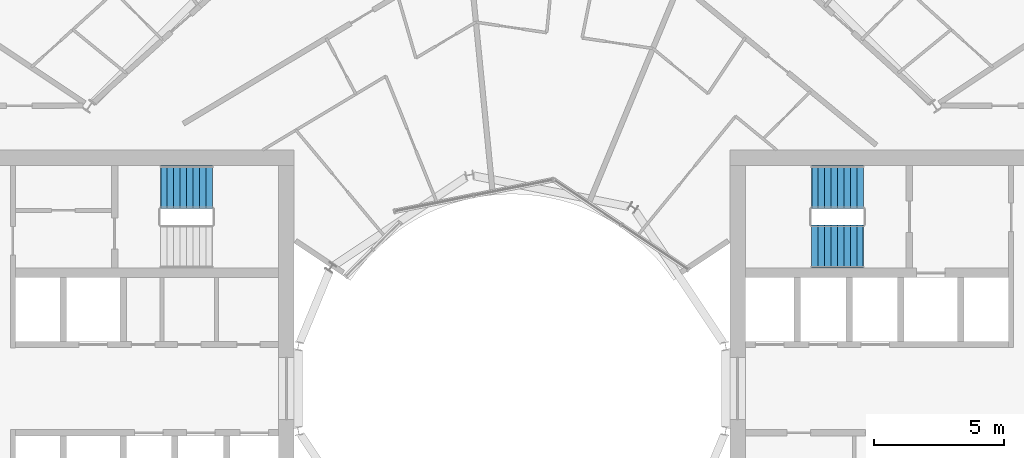
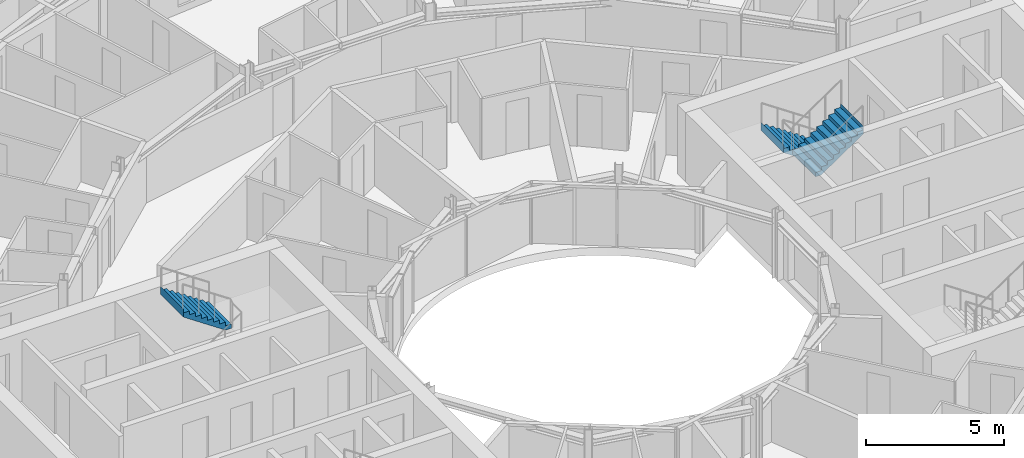
# One storey, part 26 of 28: 3 stair flights, 2 elements without a shape of their own.
"""IFC4 building model written with IfcOpenShell, lengths in metres."""

from ifc_helpers import new_model, si_unit, direction, frame, origin, place, context, subcontext, project, spatial, triangles, material, type_object, element, aggregate, save


model = new_model("IFC4")

# Units and contexts
model_context = context("Model", 3, precision=1e-05, world=origin(), true_north=direction((0.0, 1.0)))
body_context = subcontext(model_context, "Body", "Model", "MODEL_VIEW")
ifc_project = project(units=[si_unit("LENGTHUNIT", "METRE"), si_unit("AREAUNIT", "SQUARE_METRE"), si_unit("VOLUMEUNIT", "CUBIC_METRE"), si_unit("PLANEANGLEUNIT", "RADIAN"), si_unit("MASSUNIT", "GRAM", prefix="KILO")], contexts=[model_context])

# Site, building, storey
site_placement = place(None, origin())
site = spatial("IfcSite", under=ifc_project, at=site_placement, CompositionType="ELEMENT")
building_placement = place(site_placement, origin())
building = spatial("IfcBuilding", under=site, at=building_placement, Name="Maasbend Ring Residences", CompositionType="ELEMENT")
storey_placement = place(building_placement, frame((0.0, 0.0, 129.949951171875)))
storey = spatial("IfcBuildingStorey", under=building, at=storey_placement, Name="L37", CompositionType="ELEMENT", Elevation=129.949951171875)

# Stair, stair flights
ifc_material_1 = material(Name="Concrete C40/50", Category="concrete")
stair_type = type_object("IfcStairType", Name="CORE STAIR 18 RISERS", PredefinedType="HALF_TURN_STAIR", material=ifc_material_1)
stair_1_placement = place(storey_placement, origin())
stair_1 = element("IfcStair", 1, at=stair_1_placement, inside=storey, type_object=stair_type, Name="L37 Exit stair ST-E1", PredefinedType="HALF_TURN_STAIR")
ifc_material_2 = material(Name="Concrete C40/50", Category="concrete")
stair_flight_type = type_object("IfcStairFlightType", Name="CORE STAIR FLIGHT 1650", PredefinedType="STRAIGHT", material=ifc_material_2)
stair_flight_1_placement = place(storey_placement, frame((13.550048828125, 7.77490234375, 0.0), z_axis=(0.0, 0.0, 1.0), x_axis=(-1.0, 0.0, 0.0)))
stair_flight_1 = element("IfcStairFlight", 2, at=stair_flight_1_placement, type_object=stair_flight_type, Name="ST-E1 flight 1", NumberOfRisers=9, NumberOfTreads=8, PredefinedType="STRAIGHT", RiserHeight=0.169444444, TreadLength=0.25, context=body_context, shape_type="Tessellation", body=[
    triangles([(0.24072265625, 0.824951171875, -0.02001953125), (2.0029296875, 0.824951171875, 1.174560546875), (2.0029296875, 0.824951171875, 1.52490234375), (1.989990234375, 0.824951171875, 1.35546875), (1.75, 0.824951171875, 1.35546875), (1.75, 0.824951171875, 1.18603515625), (1.5, 0.824951171875, 1.18603515625), (1.5, 0.824951171875, 1.0166015625), (1.25, 0.824951171875, 1.0166015625), (1.25, 0.824951171875, 0.84716796875), (1.0, 0.824951171875, 0.84716796875), (1.0, 0.824951171875, 0.677734375), (0.75, 0.824951171875, 0.677734375), (0.75, 0.824951171875, 0.50830078125), (0.5, 0.824951171875, 0.50830078125), (0.5, 0.824951171875, 0.3388671875), (0.25, 0.824951171875, 0.3388671875), (0.25, 0.824951171875, 0.16943359375), (0.0, 0.824951171875, 0.16943359375), (0.0, 0.824951171875, 0.0), (-0.0029296875, 0.824951171875, 0.0), (-0.0029296875, 0.824951171875, -0.02001953125), (0.24072265625, 0.27490234375, -0.02001953125), (2.0029296875, 0.27490234375, 1.174560546875), (2.0029296875, 0.27490234375, 1.52490234375), (1.989990234375, 0.27490234375, 1.35546875), (1.75, 0.27490234375, 1.35546875), (1.75, 0.27490234375, 1.18603515625), (1.5, 0.27490234375, 1.18603515625), (1.5, 0.27490234375, 1.0166015625), (1.25, 0.27490234375, 1.0166015625), (1.25, 0.27490234375, 0.84716796875), (1.0, 0.27490234375, 0.84716796875), (1.0, 0.27490234375, 0.677734375), (0.75, 0.27490234375, 0.677734375), (0.75, 0.27490234375, 0.50830078125), (0.5, 0.27490234375, 0.50830078125), (0.5, 0.27490234375, 0.3388671875), (0.25, 0.27490234375, 0.3388671875), (0.25, 0.27490234375, 0.16943359375), (0.0, 0.27490234375, 0.16943359375), (0.0, 0.27490234375, 0.0), (-0.0029296875, 0.27490234375, 0.0), (-0.0029296875, 0.27490234375, -0.02001953125), (0.24072265625, -0.27490234375, -0.02001953125), (2.0029296875, -0.27490234375, 1.174560546875), (2.0029296875, -0.27490234375, 1.52490234375), (1.989990234375, -0.27490234375, 1.35546875), (1.75, -0.27490234375, 1.35546875), (1.75, -0.27490234375, 1.18603515625), (1.5, -0.27490234375, 1.18603515625), (1.5, -0.27490234375, 1.0166015625), (1.25, -0.27490234375, 1.0166015625), (1.25, -0.27490234375, 0.84716796875), (1.0, -0.27490234375, 0.84716796875), (1.0, -0.27490234375, 0.677734375), (0.75, -0.27490234375, 0.677734375), (0.75, -0.27490234375, 0.50830078125), (0.5, -0.27490234375, 0.50830078125), (0.5, -0.27490234375, 0.3388671875), (0.25, -0.27490234375, 0.3388671875), (0.25, -0.27490234375, 0.16943359375), (0.0, -0.27490234375, 0.16943359375), (0.0, -0.27490234375, 0.0), (-0.0029296875, -0.27490234375, 0.0), (-0.0029296875, -0.27490234375, -0.02001953125), (0.24072265625, -0.824951171875, -0.02001953125), (2.0029296875, -0.824951171875, 1.174560546875), (2.0029296875, -0.824951171875, 1.52490234375), (1.989990234375, -0.824951171875, 1.35546875), (1.75, -0.824951171875, 1.35546875), (1.75, -0.824951171875, 1.18603515625), (1.5, -0.824951171875, 1.18603515625), (1.5, -0.824951171875, 1.0166015625), (1.25, -0.824951171875, 1.0166015625), (1.25, -0.824951171875, 0.84716796875), (1.0, -0.824951171875, 0.84716796875), (1.0, -0.824951171875, 0.677734375), (0.75, -0.824951171875, 0.677734375), (0.75, -0.824951171875, 0.50830078125), (0.5, -0.824951171875, 0.50830078125), (0.5, -0.824951171875, 0.3388671875), (0.25, -0.824951171875, 0.3388671875), (0.25, -0.824951171875, 0.16943359375), (0.0, -0.824951171875, 0.16943359375), (0.0, -0.824951171875, 0.0), (-0.0029296875, -0.824951171875, 0.0), (-0.0029296875, -0.824951171875, -0.02001953125)], [[1, 2, 24], [1, 24, 23], [23, 24, 46], [23, 46, 45], [45, 46, 68], [45, 68, 67], [2, 3, 25], [2, 25, 24], [24, 25, 47], [24, 47, 46], [46, 47, 69], [46, 69, 68], [3, 4, 26], [3, 26, 25], [25, 26, 48], [25, 48, 47], [47, 48, 70], [47, 70, 69], [4, 5, 27], [4, 27, 26], [26, 27, 49], [26, 49, 48], [48, 49, 71], [48, 71, 70], [5, 6, 28], [5, 28, 27], [27, 28, 50], [27, 50, 49], [49, 50, 72], [49, 72, 71], [6, 7, 29], [6, 29, 28], [28, 29, 51], [28, 51, 50], [50, 51, 73], [50, 73, 72], [7, 8, 30], [7, 30, 29], [29, 30, 52], [29, 52, 51], [51, 52, 74], [51, 74, 73], [8, 9, 31], [8, 31, 30], [30, 31, 53], [30, 53, 52], [52, 53, 75], [52, 75, 74], [9, 10, 32], [9, 32, 31], [31, 32, 54], [31, 54, 53], [53, 54, 76], [53, 76, 75], [10, 11, 33], [10, 33, 32], [32, 33, 55], [32, 55, 54], [54, 55, 77], [54, 77, 76], [11, 12, 34], [11, 34, 33], [33, 34, 56], [33, 56, 55], [55, 56, 78], [55, 78, 77], [12, 13, 35], [12, 35, 34], [34, 35, 57], [34, 57, 56], [56, 57, 79], [56, 79, 78], [13, 14, 36], [13, 36, 35], [35, 36, 58], [35, 58, 57], [57, 58, 80], [57, 80, 79], [14, 15, 37], [14, 37, 36], [36, 37, 59], [36, 59, 58], [58, 59, 81], [58, 81, 80], [15, 16, 38], [15, 38, 37], [37, 38, 60], [37, 60, 59], [59, 60, 82], [59, 82, 81], [16, 17, 39], [16, 39, 38], [38, 39, 61], [38, 61, 60], [60, 61, 83], [60, 83, 82], [17, 18, 40], [17, 40, 39], [39, 40, 62], [39, 62, 61], [61, 62, 84], [61, 84, 83], [18, 19, 41], [18, 41, 40], [40, 41, 63], [40, 63, 62], [62, 63, 85], [62, 85, 84], [19, 20, 42], [19, 42, 41], [41, 42, 64], [41, 64, 63], [63, 64, 86], [63, 86, 85], [20, 21, 43], [20, 43, 42], [42, 43, 65], [42, 65, 64], [64, 65, 87], [64, 87, 86], [21, 22, 44], [21, 44, 43], [43, 44, 66], [43, 66, 65], [65, 66, 88], [65, 88, 87], [22, 1, 23], [22, 23, 44], [44, 23, 45], [44, 45, 66], [66, 45, 67], [66, 67, 88], [22, 2, 1], [2, 4, 3], [2, 5, 4], [2, 6, 5], [22, 6, 2], [6, 8, 7], [22, 8, 6], [8, 10, 9], [22, 10, 8], [10, 12, 11], [22, 12, 10], [12, 14, 13], [22, 14, 12], [14, 16, 15], [22, 16, 14], [16, 18, 17], [22, 18, 16], [18, 20, 19], [22, 20, 18], [20, 22, 21], [88, 67, 68], [68, 69, 70], [68, 70, 71], [68, 71, 72], [88, 68, 72], [72, 73, 74], [88, 72, 74], [74, 75, 76], [88, 74, 76], [76, 77, 78], [88, 76, 78], [78, 79, 80], [88, 78, 80], [80, 81, 82], [88, 80, 82], [82, 83, 84], [88, 82, 84], [84, 85, 86], [88, 84, 86], [86, 87, 88]], closed=True),
])
stair_flight_2_placement = place(storey_placement, frame((11.550048828125, 5.47509765625, 1.525146484375), z_axis=(0.0, 0.0, 1.0), x_axis=(1.0, 0.0, 0.0)))
stair_flight_2 = element("IfcStairFlight", 3, at=stair_flight_2_placement, type_object=stair_flight_type, Name="ST-E1 flight 2", NumberOfRisers=9, NumberOfTreads=8, PredefinedType="STRAIGHT", RiserHeight=0.169444444, TreadLength=0.25, context=body_context, shape_type="Tessellation", body=[
    triangles([(0.24072265625, 0.824951171875, -0.02001953125), (2.0029296875, 0.824951171875, 1.174560546875), (2.0029296875, 0.824951171875, 1.52490234375), (1.989990234375, 0.824951171875, 1.35546875), (1.75, 0.824951171875, 1.35546875), (1.75, 0.824951171875, 1.18603515625), (1.5, 0.824951171875, 1.18603515625), (1.5, 0.824951171875, 1.0166015625), (1.25, 0.824951171875, 1.0166015625), (1.25, 0.824951171875, 0.84716796875), (1.0, 0.824951171875, 0.84716796875), (1.0, 0.824951171875, 0.677734375), (0.75, 0.824951171875, 0.677734375), (0.75, 0.824951171875, 0.50830078125), (0.5, 0.824951171875, 0.50830078125), (0.5, 0.824951171875, 0.3388671875), (0.25, 0.824951171875, 0.3388671875), (0.25, 0.824951171875, 0.16943359375), (0.0, 0.824951171875, 0.16943359375), (0.0, 0.824951171875, 0.0), (-0.0029296875, 0.824951171875, 0.0), (-0.0029296875, 0.824951171875, -0.02001953125), (0.24072265625, 0.27490234375, -0.02001953125), (2.0029296875, 0.27490234375, 1.174560546875), (2.0029296875, 0.27490234375, 1.52490234375), (1.989990234375, 0.27490234375, 1.35546875), (1.75, 0.27490234375, 1.35546875), (1.75, 0.27490234375, 1.18603515625), (1.5, 0.27490234375, 1.18603515625), (1.5, 0.27490234375, 1.0166015625), (1.25, 0.27490234375, 1.0166015625), (1.25, 0.27490234375, 0.84716796875), (1.0, 0.27490234375, 0.84716796875), (1.0, 0.27490234375, 0.677734375), (0.75, 0.27490234375, 0.677734375), (0.75, 0.27490234375, 0.50830078125), (0.5, 0.27490234375, 0.50830078125), (0.5, 0.27490234375, 0.3388671875), (0.25, 0.27490234375, 0.3388671875), (0.25, 0.27490234375, 0.16943359375), (0.0, 0.27490234375, 0.16943359375), (0.0, 0.27490234375, 0.0), (-0.0029296875, 0.27490234375, 0.0), (-0.0029296875, 0.27490234375, -0.02001953125), (0.24072265625, -0.27490234375, -0.02001953125), (2.0029296875, -0.27490234375, 1.174560546875), (2.0029296875, -0.27490234375, 1.52490234375), (1.989990234375, -0.27490234375, 1.35546875), (1.75, -0.27490234375, 1.35546875), (1.75, -0.27490234375, 1.18603515625), (1.5, -0.27490234375, 1.18603515625), (1.5, -0.27490234375, 1.0166015625), (1.25, -0.27490234375, 1.0166015625), (1.25, -0.27490234375, 0.84716796875), (1.0, -0.27490234375, 0.84716796875), (1.0, -0.27490234375, 0.677734375), (0.75, -0.27490234375, 0.677734375), (0.75, -0.27490234375, 0.50830078125), (0.5, -0.27490234375, 0.50830078125), (0.5, -0.27490234375, 0.3388671875), (0.25, -0.27490234375, 0.3388671875), (0.25, -0.27490234375, 0.16943359375), (0.0, -0.27490234375, 0.16943359375), (0.0, -0.27490234375, 0.0), (-0.0029296875, -0.27490234375, 0.0), (-0.0029296875, -0.27490234375, -0.02001953125), (0.24072265625, -0.824951171875, -0.02001953125), (2.0029296875, -0.824951171875, 1.174560546875), (2.0029296875, -0.824951171875, 1.52490234375), (1.989990234375, -0.824951171875, 1.35546875), (1.75, -0.824951171875, 1.35546875), (1.75, -0.824951171875, 1.18603515625), (1.5, -0.824951171875, 1.18603515625), (1.5, -0.824951171875, 1.0166015625), (1.25, -0.824951171875, 1.0166015625), (1.25, -0.824951171875, 0.84716796875), (1.0, -0.824951171875, 0.84716796875), (1.0, -0.824951171875, 0.677734375), (0.75, -0.824951171875, 0.677734375), (0.75, -0.824951171875, 0.50830078125), (0.5, -0.824951171875, 0.50830078125), (0.5, -0.824951171875, 0.3388671875), (0.25, -0.824951171875, 0.3388671875), (0.25, -0.824951171875, 0.16943359375), (0.0, -0.824951171875, 0.16943359375), (0.0, -0.824951171875, 0.0), (-0.0029296875, -0.824951171875, 0.0), (-0.0029296875, -0.824951171875, -0.02001953125)], [[1, 2, 24], [1, 24, 23], [23, 24, 46], [23, 46, 45], [45, 46, 68], [45, 68, 67], [2, 3, 25], [2, 25, 24], [24, 25, 47], [24, 47, 46], [46, 47, 69], [46, 69, 68], [3, 4, 26], [3, 26, 25], [25, 26, 48], [25, 48, 47], [47, 48, 70], [47, 70, 69], [4, 5, 27], [4, 27, 26], [26, 27, 49], [26, 49, 48], [48, 49, 71], [48, 71, 70], [5, 6, 28], [5, 28, 27], [27, 28, 50], [27, 50, 49], [49, 50, 72], [49, 72, 71], [6, 7, 29], [6, 29, 28], [28, 29, 51], [28, 51, 50], [50, 51, 73], [50, 73, 72], [7, 8, 30], [7, 30, 29], [29, 30, 52], [29, 52, 51], [51, 52, 74], [51, 74, 73], [8, 9, 31], [8, 31, 30], [30, 31, 53], [30, 53, 52], [52, 53, 75], [52, 75, 74], [9, 10, 32], [9, 32, 31], [31, 32, 54], [31, 54, 53], [53, 54, 76], [53, 76, 75], [10, 11, 33], [10, 33, 32], [32, 33, 55], [32, 55, 54], [54, 55, 77], [54, 77, 76], [11, 12, 34], [11, 34, 33], [33, 34, 56], [33, 56, 55], [55, 56, 78], [55, 78, 77], [12, 13, 35], [12, 35, 34], [34, 35, 57], [34, 57, 56], [56, 57, 79], [56, 79, 78], [13, 14, 36], [13, 36, 35], [35, 36, 58], [35, 58, 57], [57, 58, 80], [57, 80, 79], [14, 15, 37], [14, 37, 36], [36, 37, 59], [36, 59, 58], [58, 59, 81], [58, 81, 80], [15, 16, 38], [15, 38, 37], [37, 38, 60], [37, 60, 59], [59, 60, 82], [59, 82, 81], [16, 17, 39], [16, 39, 38], [38, 39, 61], [38, 61, 60], [60, 61, 83], [60, 83, 82], [17, 18, 40], [17, 40, 39], [39, 40, 62], [39, 62, 61], [61, 62, 84], [61, 84, 83], [18, 19, 41], [18, 41, 40], [40, 41, 63], [40, 63, 62], [62, 63, 85], [62, 85, 84], [19, 20, 42], [19, 42, 41], [41, 42, 64], [41, 64, 63], [63, 64, 86], [63, 86, 85], [20, 21, 43], [20, 43, 42], [42, 43, 65], [42, 65, 64], [64, 65, 87], [64, 87, 86], [21, 22, 44], [21, 44, 43], [43, 44, 66], [43, 66, 65], [65, 66, 88], [65, 88, 87], [22, 1, 23], [22, 23, 44], [44, 23, 45], [44, 45, 66], [66, 45, 67], [66, 67, 88], [22, 2, 1], [2, 4, 3], [2, 5, 4], [2, 6, 5], [22, 6, 2], [6, 8, 7], [22, 8, 6], [8, 10, 9], [22, 10, 8], [10, 12, 11], [22, 12, 10], [12, 14, 13], [22, 14, 12], [14, 16, 15], [22, 16, 14], [16, 18, 17], [22, 18, 16], [18, 20, 19], [22, 20, 18], [20, 22, 21], [88, 67, 68], [68, 69, 70], [68, 70, 71], [68, 71, 72], [88, 68, 72], [72, 73, 74], [88, 72, 74], [74, 75, 76], [88, 74, 76], [76, 77, 78], [88, 76, 78], [78, 79, 80], [88, 78, 80], [80, 81, 82], [88, 80, 82], [82, 83, 84], [88, 82, 84], [84, 85, 86], [88, 84, 86], [86, 87, 88]], closed=True),
])
aggregate(stair_1, [stair_flight_1, stair_flight_2])

# Stair, stair flight
stair_2_placement = place(storey_placement, origin())
stair_2 = element("IfcStair", 4, at=stair_2_placement, inside=storey, type_object=stair_type, Name="L37 Exit stair ST-W2", PredefinedType="HALF_TURN_STAIR")
stair_flight_3_placement = place(storey_placement, frame((-11.550048828125, 7.77490234375, 1.525146484375), z_axis=(0.0, 0.0, 1.0), x_axis=(-1.0, 0.0, 0.0)))
stair_flight_3 = element("IfcStairFlight", 5, at=stair_flight_3_placement, type_object=stair_flight_type, Name="ST-W2 flight 2", NumberOfRisers=9, NumberOfTreads=8, PredefinedType="STRAIGHT", RiserHeight=0.169444444, TreadLength=0.25, context=body_context, shape_type="Tessellation", body=[
    triangles([(0.24072265625, 0.824951171875, -0.02001953125), (2.0029296875, 0.824951171875, 1.174560546875), (2.0029296875, 0.824951171875, 1.52490234375), (1.989990234375, 0.824951171875, 1.35546875), (1.75, 0.824951171875, 1.35546875), (1.75, 0.824951171875, 1.18603515625), (1.5, 0.824951171875, 1.18603515625), (1.5, 0.824951171875, 1.0166015625), (1.25, 0.824951171875, 1.0166015625), (1.25, 0.824951171875, 0.84716796875), (1.0, 0.824951171875, 0.84716796875), (1.0, 0.824951171875, 0.677734375), (0.75, 0.824951171875, 0.677734375), (0.75, 0.824951171875, 0.50830078125), (0.5, 0.824951171875, 0.50830078125), (0.5, 0.824951171875, 0.3388671875), (0.25, 0.824951171875, 0.3388671875), (0.25, 0.824951171875, 0.16943359375), (0.0, 0.824951171875, 0.16943359375), (0.0, 0.824951171875, 0.0), (-0.0029296875, 0.824951171875, 0.0), (-0.0029296875, 0.824951171875, -0.02001953125), (0.24072265625, 0.27490234375, -0.02001953125), (2.0029296875, 0.27490234375, 1.174560546875), (2.0029296875, 0.27490234375, 1.52490234375), (1.989990234375, 0.27490234375, 1.35546875), (1.75, 0.27490234375, 1.35546875), (1.75, 0.27490234375, 1.18603515625), (1.5, 0.27490234375, 1.18603515625), (1.5, 0.27490234375, 1.0166015625), (1.25, 0.27490234375, 1.0166015625), (1.25, 0.27490234375, 0.84716796875), (1.0, 0.27490234375, 0.84716796875), (1.0, 0.27490234375, 0.677734375), (0.75, 0.27490234375, 0.677734375), (0.75, 0.27490234375, 0.50830078125), (0.5, 0.27490234375, 0.50830078125), (0.5, 0.27490234375, 0.3388671875), (0.25, 0.27490234375, 0.3388671875), (0.25, 0.27490234375, 0.16943359375), (0.0, 0.27490234375, 0.16943359375), (0.0, 0.27490234375, 0.0), (-0.0029296875, 0.27490234375, 0.0), (-0.0029296875, 0.27490234375, -0.02001953125), (0.24072265625, -0.27490234375, -0.02001953125), (2.0029296875, -0.27490234375, 1.174560546875), (2.0029296875, -0.27490234375, 1.52490234375), (1.989990234375, -0.27490234375, 1.35546875), (1.75, -0.27490234375, 1.35546875), (1.75, -0.27490234375, 1.18603515625), (1.5, -0.27490234375, 1.18603515625), (1.5, -0.27490234375, 1.0166015625), (1.25, -0.27490234375, 1.0166015625), (1.25, -0.27490234375, 0.84716796875), (1.0, -0.27490234375, 0.84716796875), (1.0, -0.27490234375, 0.677734375), (0.75, -0.27490234375, 0.677734375), (0.75, -0.27490234375, 0.50830078125), (0.5, -0.27490234375, 0.50830078125), (0.5, -0.27490234375, 0.3388671875), (0.25, -0.27490234375, 0.3388671875), (0.25, -0.27490234375, 0.16943359375), (0.0, -0.27490234375, 0.16943359375), (0.0, -0.27490234375, 0.0), (-0.0029296875, -0.27490234375, 0.0), (-0.0029296875, -0.27490234375, -0.02001953125), (0.24072265625, -0.824951171875, -0.02001953125), (2.0029296875, -0.824951171875, 1.174560546875), (2.0029296875, -0.824951171875, 1.52490234375), (1.989990234375, -0.824951171875, 1.35546875), (1.75, -0.824951171875, 1.35546875), (1.75, -0.824951171875, 1.18603515625), (1.5, -0.824951171875, 1.18603515625), (1.5, -0.824951171875, 1.0166015625), (1.25, -0.824951171875, 1.0166015625), (1.25, -0.824951171875, 0.84716796875), (1.0, -0.824951171875, 0.84716796875), (1.0, -0.824951171875, 0.677734375), (0.75, -0.824951171875, 0.677734375), (0.75, -0.824951171875, 0.50830078125), (0.5, -0.824951171875, 0.50830078125), (0.5, -0.824951171875, 0.3388671875), (0.25, -0.824951171875, 0.3388671875), (0.25, -0.824951171875, 0.16943359375), (0.0, -0.824951171875, 0.16943359375), (0.0, -0.824951171875, 0.0), (-0.0029296875, -0.824951171875, 0.0), (-0.0029296875, -0.824951171875, -0.02001953125)], [[1, 2, 24], [1, 24, 23], [23, 24, 46], [23, 46, 45], [45, 46, 68], [45, 68, 67], [2, 3, 25], [2, 25, 24], [24, 25, 47], [24, 47, 46], [46, 47, 69], [46, 69, 68], [3, 4, 26], [3, 26, 25], [25, 26, 48], [25, 48, 47], [47, 48, 70], [47, 70, 69], [4, 5, 27], [4, 27, 26], [26, 27, 49], [26, 49, 48], [48, 49, 71], [48, 71, 70], [5, 6, 28], [5, 28, 27], [27, 28, 50], [27, 50, 49], [49, 50, 72], [49, 72, 71], [6, 7, 29], [6, 29, 28], [28, 29, 51], [28, 51, 50], [50, 51, 73], [50, 73, 72], [7, 8, 30], [7, 30, 29], [29, 30, 52], [29, 52, 51], [51, 52, 74], [51, 74, 73], [8, 9, 31], [8, 31, 30], [30, 31, 53], [30, 53, 52], [52, 53, 75], [52, 75, 74], [9, 10, 32], [9, 32, 31], [31, 32, 54], [31, 54, 53], [53, 54, 76], [53, 76, 75], [10, 11, 33], [10, 33, 32], [32, 33, 55], [32, 55, 54], [54, 55, 77], [54, 77, 76], [11, 12, 34], [11, 34, 33], [33, 34, 56], [33, 56, 55], [55, 56, 78], [55, 78, 77], [12, 13, 35], [12, 35, 34], [34, 35, 57], [34, 57, 56], [56, 57, 79], [56, 79, 78], [13, 14, 36], [13, 36, 35], [35, 36, 58], [35, 58, 57], [57, 58, 80], [57, 80, 79], [14, 15, 37], [14, 37, 36], [36, 37, 59], [36, 59, 58], [58, 59, 81], [58, 81, 80], [15, 16, 38], [15, 38, 37], [37, 38, 60], [37, 60, 59], [59, 60, 82], [59, 82, 81], [16, 17, 39], [16, 39, 38], [38, 39, 61], [38, 61, 60], [60, 61, 83], [60, 83, 82], [17, 18, 40], [17, 40, 39], [39, 40, 62], [39, 62, 61], [61, 62, 84], [61, 84, 83], [18, 19, 41], [18, 41, 40], [40, 41, 63], [40, 63, 62], [62, 63, 85], [62, 85, 84], [19, 20, 42], [19, 42, 41], [41, 42, 64], [41, 64, 63], [63, 64, 86], [63, 86, 85], [20, 21, 43], [20, 43, 42], [42, 43, 65], [42, 65, 64], [64, 65, 87], [64, 87, 86], [21, 22, 44], [21, 44, 43], [43, 44, 66], [43, 66, 65], [65, 66, 88], [65, 88, 87], [22, 1, 23], [22, 23, 44], [44, 23, 45], [44, 45, 66], [66, 45, 67], [66, 67, 88], [22, 2, 1], [2, 4, 3], [2, 5, 4], [2, 6, 5], [22, 6, 2], [6, 8, 7], [22, 8, 6], [8, 10, 9], [22, 10, 8], [10, 12, 11], [22, 12, 10], [12, 14, 13], [22, 14, 12], [14, 16, 15], [22, 16, 14], [16, 18, 17], [22, 18, 16], [18, 20, 19], [22, 20, 18], [20, 22, 21], [88, 67, 68], [68, 69, 70], [68, 70, 71], [68, 71, 72], [88, 68, 72], [72, 73, 74], [88, 72, 74], [74, 75, 76], [88, 74, 76], [76, 77, 78], [88, 76, 78], [78, 79, 80], [88, 78, 80], [80, 81, 82], [88, 80, 82], [82, 83, 84], [88, 82, 84], [84, 85, 86], [88, 84, 86], [86, 87, 88]], closed=True),
])
aggregate(stair_2, [stair_flight_3])

save(model, "model.ifc")
